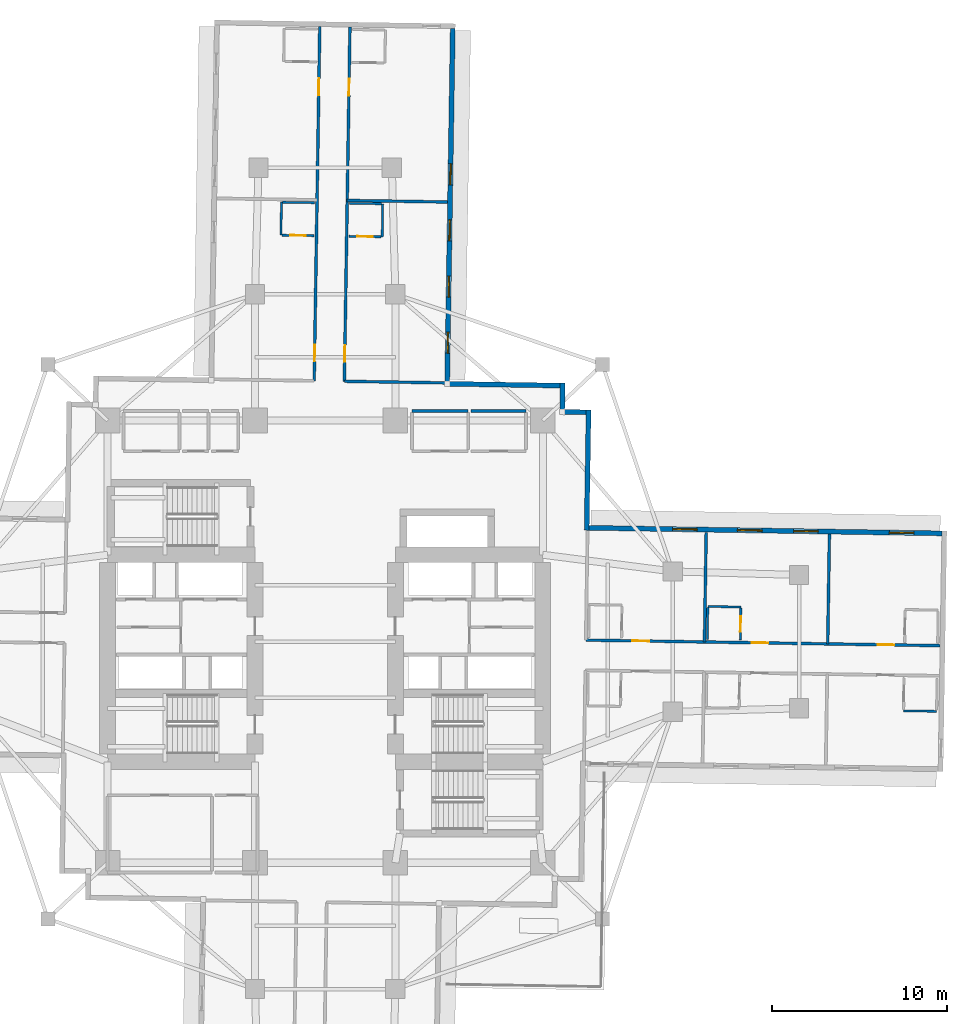
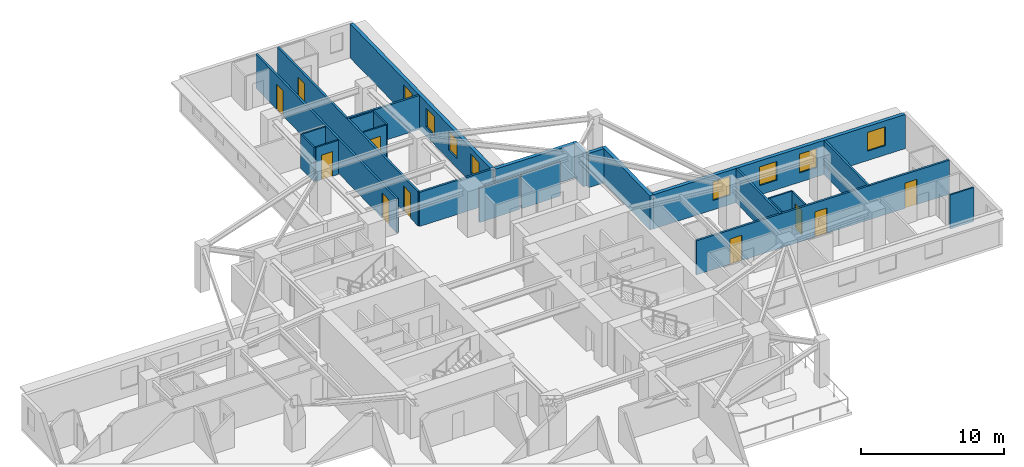
# One storey, part 7 of 13: 25 walls, 10 doors, 8 windows, 18 openings.
"""IFC4 building model written with IfcOpenShell, lengths in metres."""

from ifc_helpers import new_model, si_unit, direction, frame, frame_2d, origin, place, context, subcontext, project, spatial, rectangle, extrude, material, layer, layer_set, type_object, element, fill, save


model = new_model("IFC4")

# Units and contexts
model_context = context("Model", 3, precision=1e-05, world=origin(), true_north=direction((0.0, 1.0)))
body_context = subcontext(model_context, "Body", "Model", "MODEL_VIEW")
ifc_project = project(units=[si_unit("LENGTHUNIT", "METRE"), si_unit("AREAUNIT", "SQUARE_METRE"), si_unit("VOLUMEUNIT", "CUBIC_METRE"), si_unit("PLANEANGLEUNIT", "RADIAN"), si_unit("MASSUNIT", "GRAM", prefix="KILO")], contexts=[model_context])

# Site, building, storey
site_placement = place(None, origin())
site = spatial("IfcSite", under=ifc_project, at=site_placement, CompositionType="ELEMENT")
building_placement = place(site_placement, origin())
building = spatial("IfcBuilding", under=site, at=building_placement, Name="Qingluan Cross Belvedere", CompositionType="ELEMENT")
storey_placement = place(building_placement, frame((0.0, 0.0, 67.800048828125)))
storey = spatial("IfcBuildingStorey", under=building, at=storey_placement, Name="L17", CompositionType="ELEMENT", Elevation=67.800048828125)

# Walls
ifc_material_1 = material(Name="Gypsum plasterboard on steel stud acoustic partition", Category="steel")
ifc_layer_1 = layer(ifc_material_1, 0.159912109375, Name="CorridorPartition_160")
ifc_layer_set_1 = layer_set([ifc_layer_1], Name="Gypsum plasterboard on steel stud acoustic partition")
wall_type_1 = type_object("IfcWallType", Name="CorridorPartition_160", PredefinedType="PARTITIONING", material=ifc_layer_set_1)
wall_1_placement = place(storey_placement, frame((4.949951171875, 13.14990234375, 0.0), z_axis=(0.0, 0.0, 1.0), x_axis=(1.0, 0.0, 0.0)))
element("IfcWall", 1, at=wall_1_placement, inside=storey, type_object=wall_type_1, Name="Partition L17:q_ne1:N", PredefinedType="PARTITIONING", context=body_context, shape_type="SweptSolid", body=[
    extrude(rectangle(XDim=3.199951171875, YDim=0.159912109375, at=frame_2d((1.60009765625, 0.0))), origin(), (0.0, 0.0, 1.0), 2.89990234375),
])
wall_2_placement = place(storey_placement, frame((8.31005859375, 13.14990234375, 0.0), z_axis=(0.0, 0.0, 1.0), x_axis=(1.0, 0.0, 0.0)))
element("IfcWall", 2, at=wall_2_placement, inside=storey, type_object=wall_type_1, Name="Partition L17:q_ne2:N", PredefinedType="PARTITIONING", context=body_context, shape_type="SweptSolid", body=[
    extrude(rectangle(XDim=3.139892578125, YDim=0.159912109375, at=frame_2d((1.56982421875, 0.0))), origin(), (0.0, 0.0, 1.0), 2.89990234375),
])

# Wall, openings, doors
wall_3_placement = place(storey_placement, frame((14.853271484375, 0.086669921875, 0.0), z_axis=(0.0, 0.0, 1.0), x_axis=(0.999876717676, -0.015701893165, 0.0)))
wall_3 = element("IfcWall", 3, at=wall_3_placement, inside=storey, type_object=wall_type_1, Name="Partition L17:E:c0", PredefinedType="PARTITIONING", context=body_context, shape_type="SweptSolid", body=[
    extrude(rectangle(XDim=20.181884765625, YDim=0.159912109375, at=frame_2d((10.0908203125, 0.0))), origin(), (0.0, 0.0, 1.0), 2.89990234375),
])
opening_1_placement = place(wall_3_placement, frame((2.656005859375, 0.0, 0.0)))
opening_1 = element("IfcOpeningElement", 4, at=opening_1_placement, cuts=wall_3, Name="Opening GD-10", PredefinedType="OPENING", context=body_context, shape_type="SweptSolid", body=[
    extrude(rectangle(XDim=0.9599609375, YDim=2.14990234375, at=frame_2d((0.47998046875, 1.074951171875))), frame((0.0, 0.08984375, 0.0), z_axis=(0.0, -1.0, 0.0), x_axis=(1.0, 0.0, 0.0)), (0.0, 0.0, 1.0), 0.179931640625),
])
opening_2_placement = place(wall_3_placement, frame((9.44189453125, 0.0, 0.0)))
opening_2 = element("IfcOpeningElement", 5, at=opening_2_placement, cuts=wall_3, Name="Opening GD-10", PredefinedType="OPENING", context=body_context, shape_type="SweptSolid", body=[
    extrude(rectangle(XDim=0.9599609375, YDim=2.14990234375, at=frame_2d((0.47998046875, 1.074951171875))), frame((0.0, 0.08984375, 0.0), z_axis=(0.0, -1.0, 0.0), x_axis=(1.0, 0.0, 0.0)), (0.0, 0.0, 1.0), 0.179931640625),
])
opening_3_placement = place(wall_3_placement, frame((16.626953125, 0.0, 0.0)))
opening_3 = element("IfcOpeningElement", 6, at=opening_3_placement, cuts=wall_3, Name="Opening GD-10", PredefinedType="OPENING", context=body_context, shape_type="SweptSolid", body=[
    extrude(rectangle(XDim=0.9599609375, YDim=2.14990234375, at=frame_2d((0.47998046875, 1.074951171875))), frame((0.0, 0.08984375, 0.0), z_axis=(0.0, -1.0, 0.0), x_axis=(1.0, 0.0, 0.0)), (0.0, 0.0, 1.0), 0.179931640625),
])
ifc_material_2 = material(Name="Timber oak fire-rated acoustic guestroom door", Category="wood")
door_type_1 = type_object("IfcDoorType", Name="GuestEntryDoor_FD60", OperationType="NOTDEFINED", PredefinedType="DOOR", material=ifc_material_2)
door_1_placement = place(opening_1_placement, origin())
door_1 = element("IfcDoor", 7, at=door_1_placement, inside=storey, type_object=door_type_1, Name="Guest entry fire door 1701", OperationType="SINGLE_SWING_LEFT", OverallHeight=2.14990234375, OverallWidth=0.9599609375, PredefinedType="DOOR", context=body_context, shape_type="SweptSolid", body=[
    extrude(rectangle(XDim=0.9599609375, YDim=2.14990234375, at=frame_2d((0.47998046875, 1.074951171875))), frame((0.0, 0.02490234375, 0.0), z_axis=(0.0, -1.0, 0.0), x_axis=(1.0, 0.0, 0.0)), (0.0, 0.0, 1.0), 0.050048828125),
])
fill(opening_1, door_1)
door_2_placement = place(opening_2_placement, origin())
door_2 = element("IfcDoor", 8, at=door_2_placement, inside=storey, type_object=door_type_1, Name="Guest entry fire door 1702", OperationType="SINGLE_SWING_LEFT", OverallHeight=2.14990234375, OverallWidth=0.9599609375, PredefinedType="DOOR", context=body_context, shape_type="SweptSolid", body=[
    extrude(rectangle(XDim=0.9599609375, YDim=2.14990234375, at=frame_2d((0.47998046875, 1.074951171875))), frame((0.0, 0.02490234375, 0.0), z_axis=(0.0, -1.0, 0.0), x_axis=(1.0, 0.0, 0.0)), (0.0, 0.0, 1.0), 0.050048828125),
])
fill(opening_2, door_2)
door_3_placement = place(opening_3_placement, origin())
door_3 = element("IfcDoor", 9, at=door_3_placement, inside=storey, type_object=door_type_1, Name="Guest entry fire door 1703", OperationType="SINGLE_SWING_LEFT", OverallHeight=2.14990234375, OverallWidth=0.9599609375, PredefinedType="DOOR", context=body_context, shape_type="SweptSolid", body=[
    extrude(rectangle(XDim=0.9599609375, YDim=2.14990234375, at=frame_2d((0.47998046875, 1.074951171875))), frame((0.0, 0.02490234375, 0.0), z_axis=(0.0, -1.0, 0.0), x_axis=(1.0, 0.0, 0.0)), (0.0, 0.0, 1.0), 0.050048828125),
])
fill(opening_3, door_3)

# Walls
for number, where, z_axis, x_axis, name in (
    (10, (21.6123046875, -0.01953125, 0.0), (0.0, 0.0, 1.0), (0.015737164372, 0.999876163161, 0.0), "Partition L17:E:d0_0"),
    (11, (28.635498046875, -0.1298828125, 0.0), (0.0, 0.0, 1.0), (0.015698123972, 0.99987677686, 0.0), "Partition L17:E:d0_1"),
):
    element("IfcWall", number, at=place(storey_placement, frame(where, z_axis=z_axis, x_axis=x_axis)), inside=storey, type_object=wall_type_1, Name=name, PredefinedType="PARTITIONING", context=body_context, shape_type="SweptSolid", body=[
        extrude(rectangle(XDim=6.251953125, YDim=0.159912109375, at=frame_2d((3.1259765625, 0.0))), origin(), (0.0, 0.0, 1.0), 2.89990234375),
    ])

# Wall, openings, doors
wall_4_placement = place(storey_placement, frame((1.093017578125, 14.834716796875, 0.0), z_axis=(0.0, 0.0, 1.0), x_axis=(0.015713987169, 0.999876527681, 0.0)))
wall_4 = element("IfcWall", 12, at=wall_4_placement, inside=storey, type_object=wall_type_1, Name="Partition L17:N:c0", PredefinedType="PARTITIONING", context=body_context, shape_type="SweptSolid", body=[
    extrude(rectangle(XDim=20.181884765625, YDim=0.159912109375, at=frame_2d((10.0908203125, 0.0))), origin(), (0.0, 0.0, 1.0), 2.89990234375),
])
opening_4_placement = place(wall_4_placement, frame((1.10595703125, 0.0, 0.0)))
opening_4 = element("IfcOpeningElement", 13, at=opening_4_placement, cuts=wall_4, Name="Opening GD-10", PredefinedType="OPENING", context=body_context, shape_type="SweptSolid", body=[
    extrude(rectangle(XDim=0.9599609375, YDim=2.14990234375, at=frame_2d((0.47998046875, 1.074951171875))), frame((0.0, 0.08984375, 0.0), z_axis=(0.0, -1.0, 0.0), x_axis=(1.0, 0.0, 0.0)), (0.0, 0.0, 1.0), 0.179931640625),
])
opening_5_placement = place(wall_4_placement, frame((16.280029296875, 0.0, 0.0)))
opening_5 = element("IfcOpeningElement", 14, at=opening_5_placement, cuts=wall_4, Name="Opening GD-10", PredefinedType="OPENING", context=body_context, shape_type="SweptSolid", body=[
    extrude(rectangle(XDim=0.9599609375, YDim=2.14990234375, at=frame_2d((0.47998046875, 1.074951171875))), frame((0.0, 0.08984375, 0.0), z_axis=(0.0, -1.0, 0.0), x_axis=(1.0, 0.0, 0.0)), (0.0, 0.0, 1.0), 0.179931640625),
])
door_4_placement = place(opening_4_placement, origin())
door_4 = element("IfcDoor", 15, at=door_4_placement, inside=storey, type_object=door_type_1, Name="Guest entry fire door 1711", OperationType="SINGLE_SWING_LEFT", OverallHeight=2.14990234375, OverallWidth=0.9599609375, PredefinedType="DOOR", context=body_context, shape_type="SweptSolid", body=[
    extrude(rectangle(XDim=0.9599609375, YDim=2.14990234375, at=frame_2d((0.47998046875, 1.074951171875))), frame((0.0, 0.02490234375, 0.0), z_axis=(0.0, -1.0, 0.0), x_axis=(1.0, 0.0, 0.0)), (0.0, 0.0, 1.0), 0.050048828125),
])
fill(opening_4, door_4)
door_5_placement = place(opening_5_placement, origin())
door_5 = element("IfcDoor", 16, at=door_5_placement, inside=storey, type_object=door_type_1, Name="Guest entry fire door 1712", OperationType="SINGLE_SWING_LEFT", OverallHeight=2.14990234375, OverallWidth=0.9599609375, PredefinedType="DOOR", context=body_context, shape_type="SweptSolid", body=[
    extrude(rectangle(XDim=0.9599609375, YDim=2.14990234375, at=frame_2d((0.47998046875, 1.074951171875))), frame((0.0, 0.02490234375, 0.0), z_axis=(0.0, -1.0, 0.0), x_axis=(1.0, 0.0, 0.0)), (0.0, 0.0, 1.0), 0.050048828125),
])
fill(opening_5, door_5)

# Walls
wall_5_placement = place(storey_placement, frame((1.093017578125, 14.834716796875, 0.0), z_axis=(0.0, 0.0, 1.0), x_axis=(0.99987664696, -0.015706395663, 0.0)))
element("IfcWall", 17, at=wall_5_placement, inside=storey, type_object=wall_type_1, Name="Partition L17:N:s0", PredefinedType="PARTITIONING", context=body_context, shape_type="SweptSolid", body=[
    extrude(rectangle(XDim=5.860107421875, YDim=0.159912109375, at=frame_2d((2.93017578125, 0.0))), origin(), (0.0, 0.0, 1.0), 2.89990234375),
])
wall_6_placement = place(storey_placement, frame((1.2548828125, 25.140380859375, 0.0), z_axis=(0.0, 0.0, 1.0), x_axis=(0.999876298183, -0.0157285833, 0.0)))
element("IfcWall", 18, at=wall_6_placement, inside=storey, type_object=wall_type_1, Name="Partition L17:N:d0_0", PredefinedType="PARTITIONING", context=body_context, shape_type="SweptSolid", body=[
    extrude(rectangle(XDim=5.712158203125, YDim=0.159912109375, at=frame_2d((2.85595703125, 0.0))), origin(), (0.0, 0.0, 1.0), 2.89990234375),
])

# Wall, openings, doors
wall_7_placement = place(storey_placement, frame((-0.626708984375, 14.86181640625, 0.0), z_axis=(0.0, 0.0, 1.0), x_axis=(0.015713987169, 0.999876527681, 0.0)))
wall_7 = element("IfcWall", 19, at=wall_7_placement, inside=storey, type_object=wall_type_1, Name="Partition L17:N:c1", PredefinedType="PARTITIONING", context=body_context, shape_type="SweptSolid", body=[
    extrude(rectangle(XDim=20.181884765625, YDim=0.159912109375, at=frame_2d((10.0908203125, 0.0))), origin(), (0.0, 0.0, 1.0), 2.89990234375),
])
opening_6_placement = place(wall_7_placement, frame((1.10595703125, 0.0, 0.0)))
opening_6 = element("IfcOpeningElement", 20, at=opening_6_placement, cuts=wall_7, Name="Opening GD-10", PredefinedType="OPENING", context=body_context, shape_type="SweptSolid", body=[
    extrude(rectangle(XDim=0.9599609375, YDim=2.14990234375, at=frame_2d((0.47998046875, 1.074951171875))), frame((0.0, 0.08984375, 0.0), z_axis=(0.0, -1.0, 0.0), x_axis=(1.0, 0.0, 0.0)), (0.0, 0.0, 1.0), 0.179931640625),
])
opening_7_placement = place(wall_7_placement, frame((16.280029296875, 0.0, 0.0)))
opening_7 = element("IfcOpeningElement", 21, at=opening_7_placement, cuts=wall_7, Name="Opening GD-10", PredefinedType="OPENING", context=body_context, shape_type="SweptSolid", body=[
    extrude(rectangle(XDim=0.9599609375, YDim=2.14990234375, at=frame_2d((0.47998046875, 1.074951171875))), frame((0.0, 0.08984375, 0.0), z_axis=(0.0, -1.0, 0.0), x_axis=(1.0, 0.0, 0.0)), (0.0, 0.0, 1.0), 0.179931640625),
])
door_6_placement = place(opening_6_placement, origin())
door_6 = element("IfcDoor", 22, at=door_6_placement, inside=storey, type_object=door_type_1, Name="Guest entry fire door 1713", OperationType="SINGLE_SWING_LEFT", OverallHeight=2.14990234375, OverallWidth=0.9599609375, PredefinedType="DOOR", context=body_context, shape_type="SweptSolid", body=[
    extrude(rectangle(XDim=0.9599609375, YDim=2.14990234375, at=frame_2d((0.47998046875, 1.074951171875))), frame((0.0, 0.02490234375, 0.0), z_axis=(0.0, -1.0, 0.0), x_axis=(1.0, 0.0, 0.0)), (0.0, 0.0, 1.0), 0.050048828125),
])
fill(opening_6, door_6)
door_7_placement = place(opening_7_placement, origin())
door_7 = element("IfcDoor", 23, at=door_7_placement, inside=storey, type_object=door_type_1, Name="Guest entry fire door 1714", OperationType="SINGLE_SWING_LEFT", OverallHeight=2.14990234375, OverallWidth=0.9599609375, PredefinedType="DOOR", context=body_context, shape_type="SweptSolid", body=[
    extrude(rectangle(XDim=0.9599609375, YDim=2.14990234375, at=frame_2d((0.47998046875, 1.074951171875))), frame((0.0, 0.02490234375, 0.0), z_axis=(0.0, -1.0, 0.0), x_axis=(1.0, 0.0, 0.0)), (0.0, 0.0, 1.0), 0.050048828125),
])
fill(opening_7, door_7)

# Wall, opening, door
ifc_material_3 = material(Name="Moisture-resistant gypsum board lining")
ifc_layer_2 = layer(ifc_material_3, 0.1201171875, Name="EnsuiteWetPartition_120")
ifc_layer_set_2 = layer_set([ifc_layer_2], Name="Moisture-resistant gypsum board lining")
wall_type_2 = type_object("IfcWallType", Name="EnsuiteWetPartition_120", PredefinedType="PARTITIONING", material=ifc_layer_set_2)
wall_8_placement = place(storey_placement, frame((23.654296875, 0.08837890625, 0.0), z_axis=(0.0, 0.0, 1.0), x_axis=(0.015694337248, 0.999876836305, 0.0)))
wall_8 = element("IfcWall", 24, at=wall_8_placement, inside=storey, type_object=wall_type_2, Name="Partition L17:E:bs0_1", PredefinedType="PARTITIONING", context=body_context, shape_type="SweptSolid", body=[
    extrude(rectangle(XDim=1.820068359375, YDim=0.1201171875, at=frame_2d((0.91015625, 0.0))), origin(), (0.0, 0.0, 1.0), 2.89990234375),
])
opening_8_placement = place(wall_8_placement, frame((0.469970703125, 0.0, 0.0)))
opening_8 = element("IfcOpeningElement", 25, at=opening_8_placement, cuts=wall_8, Name="Opening BD-09", PredefinedType="OPENING", context=body_context, shape_type="SweptSolid", body=[
    extrude(rectangle(XDim=0.8798828125, YDim=2.10009765625, at=frame_2d((0.43994140625, 1.050048828125))), frame((0.0, 0.070068359375, 0.0), z_axis=(0.0, -1.0, 0.0), x_axis=(1.0, 0.0, 0.0)), (0.0, 0.0, 1.0), 0.14013671875),
])
ifc_material_4 = material(Name="Moisture-sealed timber en-suite door", Category="wood")
door_type_2 = type_object("IfcDoorType", Name="BathroomDoor_880", OperationType="NOTDEFINED", PredefinedType="DOOR", material=ifc_material_4)
door_8_placement = place(opening_8_placement, origin())
door_8 = element("IfcDoor", 26, at=door_8_placement, inside=storey, type_object=door_type_2, Name="Bathroom door 1702", OperationType="SINGLE_SWING_RIGHT", OverallHeight=2.10009765625, OverallWidth=0.8798828125, PredefinedType="DOOR", context=body_context, shape_type="SweptSolid", body=[
    extrude(rectangle(XDim=0.8798828125, YDim=2.10009765625, at=frame_2d((0.43994140625, 1.050048828125))), frame((0.0, 0.02490234375, 0.0), z_axis=(0.0, -1.0, 0.0), x_axis=(1.0, 0.0, 0.0)), (0.0, 0.0, 1.0), 0.050048828125),
])
fill(opening_8, door_8)

# Walls
wall_9_placement = place(storey_placement, frame((21.7744140625, 0.117919921875, 0.0), z_axis=(0.0, 0.0, 1.0), x_axis=(0.015694337248, 0.999876836305, 0.0)))
element("IfcWall", 27, at=wall_9_placement, inside=storey, type_object=wall_type_2, Name="Partition L17:E:bw0_1", PredefinedType="PARTITIONING", context=body_context, shape_type="SweptSolid", body=[
    extrude(rectangle(XDim=1.820068359375, YDim=0.1201171875, at=frame_2d((0.91015625, 0.0))), origin(), (0.0, 0.0, 1.0), 2.89990234375),
])
for number, where, z_axis, x_axis, name in (
    (28, (21.80419921875, 2.002685546875, 0.0), (0.0, 0.0, 1.0), (0.99987652141, -0.015714386166, 0.0), "Partition L17:E:bn0_1"),
    (29, (32.962158203125, -3.943115234375, 0.0), (0.0, 0.0, 1.0), (0.999874472394, -0.015844224657, 0.0), "Partition L17:E:bc1_2"),
):
    element("IfcWall", number, at=place(storey_placement, frame(where, z_axis=z_axis, x_axis=x_axis)), inside=storey, type_object=wall_type_2, Name=name, PredefinedType="PARTITIONING", context=body_context, shape_type="SweptSolid", body=[
        extrude(rectangle(XDim=1.8798828125, YDim=0.1201171875, at=frame_2d((0.93994140625, 0.0))), origin(), (0.0, 0.0, 1.0), 2.89990234375),
    ])

# Wall, opening, door
wall_10_placement = place(storey_placement, frame((1.363037109375, 23.098388671875, 0.0), z_axis=(0.0, 0.0, 1.0), x_axis=(0.999876836305, -0.015694337248, 0.0)))
wall_10 = element("IfcWall", 30, at=wall_10_placement, inside=storey, type_object=wall_type_2, Name="Partition L17:N:bs0_0", PredefinedType="PARTITIONING", context=body_context, shape_type="SweptSolid", body=[
    extrude(rectangle(XDim=1.820068359375, YDim=0.1201171875, at=frame_2d((0.91015625, 0.0))), origin(), (0.0, 0.0, 1.0), 2.89990234375),
])
opening_9_placement = place(wall_10_placement, frame((0.469970703125, 0.0, 0.0)))
opening_9 = element("IfcOpeningElement", 31, at=opening_9_placement, cuts=wall_10, Name="Opening BD-09", PredefinedType="OPENING", context=body_context, shape_type="SweptSolid", body=[
    extrude(rectangle(XDim=0.8798828125, YDim=2.10009765625, at=frame_2d((0.43994140625, 1.050048828125))), frame((0.0, 0.070068359375, 0.0), z_axis=(0.0, -1.0, 0.0), x_axis=(1.0, 0.0, 0.0)), (0.0, 0.0, 1.0), 0.14013671875),
])
door_9_placement = place(opening_9_placement, origin())
door_9 = element("IfcDoor", 32, at=door_9_placement, inside=storey, type_object=door_type_2, Name="Bathroom door 1711", OperationType="SINGLE_SWING_RIGHT", OverallHeight=2.10009765625, OverallWidth=0.8798828125, PredefinedType="DOOR", context=body_context, shape_type="SweptSolid", body=[
    extrude(rectangle(XDim=0.8798828125, YDim=2.10009765625, at=frame_2d((0.43994140625, 1.050048828125))), frame((0.0, 0.02490234375, 0.0), z_axis=(0.0, -1.0, 0.0), x_axis=(1.0, 0.0, 0.0)), (0.0, 0.0, 1.0), 0.050048828125),
])
fill(opening_9, door_9)

# Walls
wall_11_placement = place(storey_placement, frame((1.392578125, 24.978271484375, 0.0), z_axis=(0.0, 0.0, 1.0), x_axis=(0.999876836305, -0.015694337248, 0.0)))
element("IfcWall", 33, at=wall_11_placement, inside=storey, type_object=wall_type_2, Name="Partition L17:N:bw0_0", PredefinedType="PARTITIONING", context=body_context, shape_type="SweptSolid", body=[
    extrude(rectangle(XDim=1.820068359375, YDim=0.1201171875, at=frame_2d((0.91015625, 0.0))), origin(), (0.0, 0.0, 1.0), 2.89990234375),
])
wall_12_placement = place(storey_placement, frame((3.247802734375, 23.06884765625, 0.0), z_axis=(0.0, 0.0, 1.0), x_axis=(0.015714386166, 0.99987652141, 0.0)))
element("IfcWall", 34, at=wall_12_placement, inside=storey, type_object=wall_type_2, Name="Partition L17:N:bn0_0", PredefinedType="PARTITIONING", context=body_context, shape_type="SweptSolid", body=[
    extrude(rectangle(XDim=1.8798828125, YDim=0.1201171875, at=frame_2d((0.93994140625, 0.0))), origin(), (0.0, 0.0, 1.0), 2.89990234375),
])

# Wall, opening, door
wall_13_placement = place(storey_placement, frame((-2.45654296875, 23.158447265625, 0.0), z_axis=(0.0, 0.0, 1.0), x_axis=(0.999876836305, -0.015694337248, 0.0)))
wall_13 = element("IfcWall", 35, at=wall_13_placement, inside=storey, type_object=wall_type_2, Name="Partition L17:N:bs1_0", PredefinedType="PARTITIONING", context=body_context, shape_type="SweptSolid", body=[
    extrude(rectangle(XDim=1.820068359375, YDim=0.1201171875, at=frame_2d((0.91015625, 0.0))), origin(), (0.0, 0.0, 1.0), 2.89990234375),
])
opening_10_placement = place(wall_13_placement, frame((0.469970703125, 0.0, 0.0)))
opening_10 = element("IfcOpeningElement", 36, at=opening_10_placement, cuts=wall_13, Name="Opening BD-09", PredefinedType="OPENING", context=body_context, shape_type="SweptSolid", body=[
    extrude(rectangle(XDim=0.8798828125, YDim=2.10009765625, at=frame_2d((0.43994140625, 1.050048828125))), frame((0.0, 0.070068359375, 0.0), z_axis=(0.0, -1.0, 0.0), x_axis=(1.0, 0.0, 0.0)), (0.0, 0.0, 1.0), 0.14013671875),
])
door_10_placement = place(opening_10_placement, origin())
door_10 = element("IfcDoor", 37, at=door_10_placement, inside=storey, type_object=door_type_2, Name="Bathroom door 1713", OperationType="SINGLE_SWING_RIGHT", OverallHeight=2.10009765625, OverallWidth=0.8798828125, PredefinedType="DOOR", context=body_context, shape_type="SweptSolid", body=[
    extrude(rectangle(XDim=0.8798828125, YDim=2.10009765625, at=frame_2d((0.43994140625, 1.050048828125))), frame((0.0, 0.02490234375, 0.0), z_axis=(0.0, -1.0, 0.0), x_axis=(1.0, 0.0, 0.0)), (0.0, 0.0, 1.0), 0.050048828125),
])
fill(opening_10, door_10)

# Walls
wall_14_placement = place(storey_placement, frame((-2.427001953125, 25.0380859375, 0.0), z_axis=(0.0, 0.0, 1.0), x_axis=(0.999876836305, -0.015694337248, 0.0)))
element("IfcWall", 38, at=wall_14_placement, inside=storey, type_object=wall_type_2, Name="Partition L17:N:bw1_0", PredefinedType="PARTITIONING", context=body_context, shape_type="SweptSolid", body=[
    extrude(rectangle(XDim=1.820068359375, YDim=0.1201171875, at=frame_2d((0.91015625, 0.0))), origin(), (0.0, 0.0, 1.0), 2.89990234375),
])
wall_15_placement = place(storey_placement, frame((-2.521484375, 23.159423828125, 0.0), z_axis=(0.0, 0.0, 1.0), x_axis=(0.01571234584, 0.999876553475, 0.0)))
element("IfcWall", 39, at=wall_15_placement, inside=storey, type_object=wall_type_2, Name="Partition L17:N:bc1_0", PredefinedType="PARTITIONING", context=body_context, shape_type="SweptSolid", body=[
    extrude(rectangle(XDim=1.880126953125, YDim=0.1201171875, at=frame_2d((0.93994140625, 0.0))), origin(), (0.0, 0.0, 1.0), 2.89990234375),
])

# Wall, openings, windows
ifc_material_5 = material(Name="Precast concrete C45", Category="concrete")
ifc_layer_3 = layer(ifc_material_5, 0.280029296875, Name="PrecastFacadeWall_280")
ifc_layer_set_3 = layer_set([ifc_layer_3], Name="Precast concrete C45")
wall_type_3 = type_object("IfcWallType", Name="PrecastFacadeWall_280", PredefinedType="STANDARD", material=ifc_layer_set_3)
wall_16_placement = place(storey_placement, frame((35.14111328125, 6.168701171875, 0.0), z_axis=(0.0, 0.0, 1.0), x_axis=(-0.999876474133, 0.01571739401, 0.0)))
wall_16 = element("IfcWall", 40, at=wall_16_placement, inside=storey, type_object=wall_type_3, Name="Facade wall L17-EB", PredefinedType="STANDARD", context=body_context, shape_type="SweptSolid", body=[
    extrude(rectangle(XDim=20.099853515625, YDim=0.280029296875, at=frame_2d((10.0498046875, 0.0))), origin(), (0.0, 0.0, 1.0), 2.909912109375),
])
opening_11_placement = place(wall_16_placement, frame((1.60009765625, 0.0, 0.800048828125)))
opening_11 = element("IfcOpeningElement", 41, at=opening_11_placement, cuts=wall_16, Name="Opening W-01", PredefinedType="OPENING", context=body_context, shape_type="SweptSolid", body=[
    extrude(rectangle(XDim=1.39990234375, YDim=1.60009765625, at=frame_2d((0.699951171875, 0.800048828125))), frame((0.0, 0.14990234375, 0.0), z_axis=(0.0, -1.0, 0.0), x_axis=(1.0, 0.0, 0.0)), (0.0, 0.0, 1.0), 0.300048828125),
])
opening_12_placement = place(wall_16_placement, frame((7.050048828125, 0.0, 0.800048828125)))
opening_12 = element("IfcOpeningElement", 42, at=opening_12_placement, cuts=wall_16, Name="Opening W-01", PredefinedType="OPENING", context=body_context, shape_type="SweptSolid", body=[
    extrude(rectangle(XDim=1.39990234375, YDim=1.60009765625, at=frame_2d((0.699951171875, 0.800048828125))), frame((0.0, 0.14990234375, 0.0), z_axis=(0.0, -1.0, 0.0), x_axis=(1.0, 0.0, 0.0)), (0.0, 0.0, 1.0), 0.300048828125),
])
opening_13_placement = place(wall_16_placement, frame((10.25, 0.0, 0.800048828125)))
opening_13 = element("IfcOpeningElement", 43, at=opening_13_placement, cuts=wall_16, Name="Opening W-01", PredefinedType="OPENING", context=body_context, shape_type="SweptSolid", body=[
    extrude(rectangle(XDim=1.39990234375, YDim=1.60009765625, at=frame_2d((0.699951171875, 0.800048828125))), frame((0.0, 0.14990234375, 0.0), z_axis=(0.0, -1.0, 0.0), x_axis=(1.0, 0.0, 0.0)), (0.0, 0.0, 1.0), 0.300048828125),
])
opening_14_placement = place(wall_16_placement, frame((13.949951171875, 0.0, 0.800048828125)))
opening_14 = element("IfcOpeningElement", 44, at=opening_14_placement, cuts=wall_16, Name="Opening W-01", PredefinedType="OPENING", context=body_context, shape_type="SweptSolid", body=[
    extrude(rectangle(XDim=1.39990234375, YDim=1.60009765625, at=frame_2d((0.699951171875, 0.800048828125))), frame((0.0, 0.14990234375, 0.0), z_axis=(0.0, -1.0, 0.0), x_axis=(1.0, 0.0, 0.0)), (0.0, 0.0, 1.0), 0.300048828125),
])
ifc_material_6 = material(Name="Thermally broken triple Low-E glass in aluminium frame", Category="aluminium")
window_type_1 = type_object("IfcWindowType", Name="TriRibbonWin_1400x1600", PartitioningType="SINGLE_PANEL", PredefinedType="WINDOW", material=ifc_material_6)
window_1_placement = place(opening_11_placement, origin())
window_1 = element("IfcWindow", 45, at=window_1_placement, inside=storey, type_object=window_type_1, Name="Ribbon window L17-EB-1", OverallHeight=1.60009765625, OverallWidth=1.39990234375, PartitioningType="SINGLE_PANEL", PredefinedType="WINDOW", context=body_context, shape_type="SweptSolid", body=[
    extrude(rectangle(XDim=1.39990234375, YDim=1.60009765625, at=frame_2d((0.699951171875, 0.800048828125))), frame((0.0, 0.030029296875, 0.0), z_axis=(0.0, -1.0, 0.0), x_axis=(1.0, 0.0, 0.0)), (0.0, 0.0, 1.0), 0.06005859375),
])
fill(opening_11, window_1)
window_2_placement = place(opening_12_placement, origin())
window_2 = element("IfcWindow", 46, at=window_2_placement, inside=storey, type_object=window_type_1, Name="Ribbon window L17-EB-2", OverallHeight=1.60009765625, OverallWidth=1.39990234375, PartitioningType="SINGLE_PANEL", PredefinedType="WINDOW", context=body_context, shape_type="SweptSolid", body=[
    extrude(rectangle(XDim=1.39990234375, YDim=1.60009765625, at=frame_2d((0.699951171875, 0.800048828125))), frame((0.0, 0.030029296875, 0.0), z_axis=(0.0, -1.0, 0.0), x_axis=(1.0, 0.0, 0.0)), (0.0, 0.0, 1.0), 0.06005859375),
])
fill(opening_12, window_2)
window_3_placement = place(opening_13_placement, origin())
window_3 = element("IfcWindow", 47, at=window_3_placement, inside=storey, type_object=window_type_1, Name="Ribbon window L17-EB-3", OverallHeight=1.60009765625, OverallWidth=1.39990234375, PartitioningType="SINGLE_PANEL", PredefinedType="WINDOW", context=body_context, shape_type="SweptSolid", body=[
    extrude(rectangle(XDim=1.39990234375, YDim=1.60009765625, at=frame_2d((0.699951171875, 0.800048828125))), frame((0.0, 0.030029296875, 0.0), z_axis=(0.0, -1.0, 0.0), x_axis=(1.0, 0.0, 0.0)), (0.0, 0.0, 1.0), 0.06005859375),
])
fill(opening_13, window_3)
window_4_placement = place(opening_14_placement, origin())
window_4 = element("IfcWindow", 48, at=window_4_placement, inside=storey, type_object=window_type_1, Name="Ribbon window L17-EB-4", OverallHeight=1.60009765625, OverallWidth=1.39990234375, PartitioningType="SINGLE_PANEL", PredefinedType="WINDOW", context=body_context, shape_type="SweptSolid", body=[
    extrude(rectangle(XDim=1.39990234375, YDim=1.60009765625, at=frame_2d((0.699951171875, 0.800048828125))), frame((0.0, 0.030029296875, 0.0), z_axis=(0.0, -1.0, 0.0), x_axis=(1.0, 0.0, 0.0)), (0.0, 0.0, 1.0), 0.06005859375),
])
fill(opening_14, window_4)

wall_17_placement = place(storey_placement, frame((6.953857421875, 14.83251953125, 0.0), z_axis=(0.0, 0.0, 1.0), x_axis=(0.015705059908, 0.999876667941, 0.0)))
wall_17 = element("IfcWall", 49, at=wall_17_placement, inside=storey, type_object=wall_type_3, Name="Facade wall L17-NA", PredefinedType="STANDARD", context=body_context, shape_type="SweptSolid", body=[
    extrude(rectangle(XDim=20.10009765625, YDim=0.280029296875, at=frame_2d((10.050048828125, 0.0))), origin(), (0.0, 0.0, 1.0), 2.909912109375),
])
opening_15_placement = place(wall_17_placement, frame((1.60009765625, 0.0, 0.800048828125)))
opening_15 = element("IfcOpeningElement", 50, at=opening_15_placement, cuts=wall_17, Name="Opening W-02", PredefinedType="OPENING", context=body_context, shape_type="SweptSolid", body=[
    extrude(rectangle(XDim=1.199951171875, YDim=1.60009765625, at=frame_2d((0.60009765625, 0.800048828125))), frame((0.0, 0.14990234375, 0.0), z_axis=(0.0, -1.0, 0.0), x_axis=(1.0, 0.0, 0.0)), (0.0, 0.0, 1.0), 0.300048828125),
])
opening_16_placement = place(wall_17_placement, frame((4.800048828125, 0.0, 0.800048828125)))
opening_16 = element("IfcOpeningElement", 51, at=opening_16_placement, cuts=wall_17, Name="Opening W-02", PredefinedType="OPENING", context=body_context, shape_type="SweptSolid", body=[
    extrude(rectangle(XDim=1.199951171875, YDim=1.60009765625, at=frame_2d((0.60009765625, 0.800048828125))), frame((0.0, 0.14990234375, 0.0), z_axis=(0.0, -1.0, 0.0), x_axis=(1.0, 0.0, 0.0)), (0.0, 0.0, 1.0), 0.300048828125),
])
opening_17_placement = place(wall_17_placement, frame((8.0, 0.0, 0.800048828125)))
opening_17 = element("IfcOpeningElement", 52, at=opening_17_placement, cuts=wall_17, Name="Opening W-02", PredefinedType="OPENING", context=body_context, shape_type="SweptSolid", body=[
    extrude(rectangle(XDim=1.199951171875, YDim=1.60009765625, at=frame_2d((0.60009765625, 0.800048828125))), frame((0.0, 0.14990234375, 0.0), z_axis=(0.0, -1.0, 0.0), x_axis=(1.0, 0.0, 0.0)), (0.0, 0.0, 1.0), 0.300048828125),
])
opening_18_placement = place(wall_17_placement, frame((11.199951171875, 0.0, 0.800048828125)))
opening_18 = element("IfcOpeningElement", 53, at=opening_18_placement, cuts=wall_17, Name="Opening W-02", PredefinedType="OPENING", context=body_context, shape_type="SweptSolid", body=[
    extrude(rectangle(XDim=1.199951171875, YDim=1.60009765625, at=frame_2d((0.60009765625, 0.800048828125))), frame((0.0, 0.14990234375, 0.0), z_axis=(0.0, -1.0, 0.0), x_axis=(1.0, 0.0, 0.0)), (0.0, 0.0, 1.0), 0.300048828125),
])
ifc_material_7 = material(Name="Thermally broken triple Low-E glass in aluminium frame", Category="aluminium")
window_type_2 = type_object("IfcWindowType", Name="TriRibbonWin_1200x1600", PartitioningType="SINGLE_PANEL", PredefinedType="WINDOW", material=ifc_material_7)
window_5_placement = place(opening_15_placement, origin())
window_5 = element("IfcWindow", 54, at=window_5_placement, inside=storey, type_object=window_type_2, Name="Ribbon window L17-NA-1", OverallHeight=1.60009765625, OverallWidth=1.199951171875, PartitioningType="SINGLE_PANEL", PredefinedType="WINDOW", context=body_context, shape_type="SweptSolid", body=[
    extrude(rectangle(XDim=1.199951171875, YDim=1.60009765625, at=frame_2d((0.60009765625, 0.800048828125))), frame((0.0, 0.030029296875, 0.0), z_axis=(0.0, -1.0, 0.0), x_axis=(1.0, 0.0, 0.0)), (0.0, 0.0, 1.0), 0.06005859375),
])
fill(opening_15, window_5)
window_6_placement = place(opening_16_placement, origin())
window_6 = element("IfcWindow", 55, at=window_6_placement, inside=storey, type_object=window_type_2, Name="Ribbon window L17-NA-2", OverallHeight=1.60009765625, OverallWidth=1.199951171875, PartitioningType="SINGLE_PANEL", PredefinedType="WINDOW", context=body_context, shape_type="SweptSolid", body=[
    extrude(rectangle(XDim=1.199951171875, YDim=1.60009765625, at=frame_2d((0.60009765625, 0.800048828125))), frame((0.0, 0.030029296875, 0.0), z_axis=(0.0, -1.0, 0.0), x_axis=(1.0, 0.0, 0.0)), (0.0, 0.0, 1.0), 0.06005859375),
])
fill(opening_16, window_6)
window_7_placement = place(opening_17_placement, origin())
window_7 = element("IfcWindow", 56, at=window_7_placement, inside=storey, type_object=window_type_2, Name="Ribbon window L17-NA-3", OverallHeight=1.60009765625, OverallWidth=1.199951171875, PartitioningType="SINGLE_PANEL", PredefinedType="WINDOW", context=body_context, shape_type="SweptSolid", body=[
    extrude(rectangle(XDim=1.199951171875, YDim=1.60009765625, at=frame_2d((0.60009765625, 0.800048828125))), frame((0.0, 0.030029296875, 0.0), z_axis=(0.0, -1.0, 0.0), x_axis=(1.0, 0.0, 0.0)), (0.0, 0.0, 1.0), 0.06005859375),
])
fill(opening_17, window_7)
window_8_placement = place(opening_18_placement, origin())
window_8 = element("IfcWindow", 57, at=window_8_placement, inside=storey, type_object=window_type_2, Name="Ribbon window L17-NA-4", OverallHeight=1.60009765625, OverallWidth=1.199951171875, PartitioningType="SINGLE_PANEL", PredefinedType="WINDOW", context=body_context, shape_type="SweptSolid", body=[
    extrude(rectangle(XDim=1.199951171875, YDim=1.60009765625, at=frame_2d((0.60009765625, 0.800048828125))), frame((0.0, 0.030029296875, 0.0), z_axis=(0.0, -1.0, 0.0), x_axis=(1.0, 0.0, 0.0)), (0.0, 0.0, 1.0), 0.06005859375),
])
fill(opening_18, window_8)

# Walls
wall_18_placement = place(storey_placement, frame((14.901611328125, 6.3466796875, 0.0), z_axis=(0.0, 0.0, 1.0), x_axis=(0.015694809807, 0.999876828887, 0.0)))
element("IfcWall", 58, at=wall_18_placement, inside=storey, type_object=wall_type_3, Name="Corner wall L17-NE1", PredefinedType="STANDARD", context=body_context, shape_type="SweptSolid", body=[
    extrude(rectangle(XDim=6.85986328125, YDim=0.280029296875, at=frame_2d((3.429931640625, 0.0))), origin(), (0.0, 0.0, 1.0), 2.909912109375),
])
wall_19_placement = place(storey_placement, frame((14.8671875, 13.068115234375, 0.0), z_axis=(0.0, 0.0, 1.0), x_axis=(-0.999875053502, 0.015807510352, 0.0)))
element("IfcWall", 59, at=wall_19_placement, inside=storey, type_object=wall_type_3, Name="Corner wall L17-NE2", PredefinedType="STANDARD", context=body_context, shape_type="SweptSolid", body=[
    extrude(rectangle(XDim=1.22021484375, YDim=0.280029296875, at=frame_2d((0.610107421875, 0.0))), origin(), (0.0, 0.0, 1.0), 2.909912109375),
])
wall_20_placement = place(storey_placement, frame((13.509521484375, 13.2294921875, 0.0), z_axis=(0.0, 0.0, 1.0), x_axis=(0.015625635615, 0.999877912303, 0.0)))
element("IfcWall", 60, at=wall_20_placement, inside=storey, type_object=wall_type_3, Name="Corner wall L17-NE3", PredefinedType="STANDARD", context=body_context, shape_type="SweptSolid", body=[
    extrude(rectangle(XDim=1.5, YDim=0.280029296875, at=frame_2d((0.75, 0.0))), origin(), (0.0, 0.0, 1.0), 2.909912109375),
])
wall_21_placement = place(storey_placement, frame((13.390869140625, 14.591552734375, 0.0), z_axis=(0.0, 0.0, 1.0), x_axis=(-0.999876833368, 0.015694524359, 0.0)))
element("IfcWall", 61, at=wall_21_placement, inside=storey, type_object=wall_type_3, Name="Corner wall L17-NE4", PredefinedType="STANDARD", context=body_context, shape_type="SweptSolid", body=[
    extrude(rectangle(XDim=6.300048828125, YDim=0.280029296875, at=frame_2d((3.14990234375, 0.0))), origin(), (0.0, 0.0, 1.0), 2.909912109375),
])

save(model, "model.ifc")
